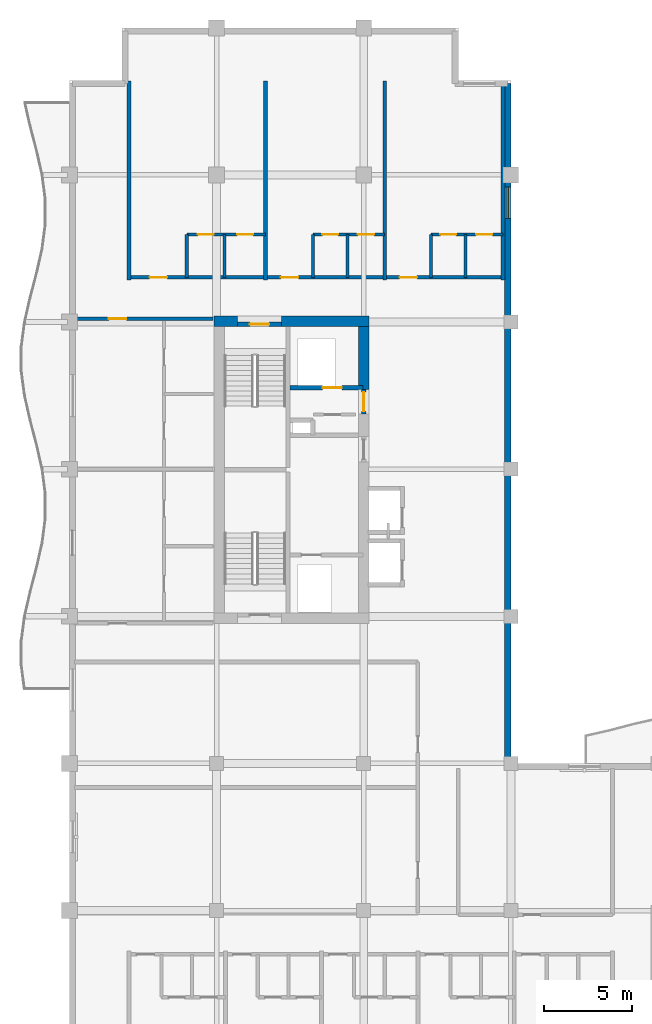
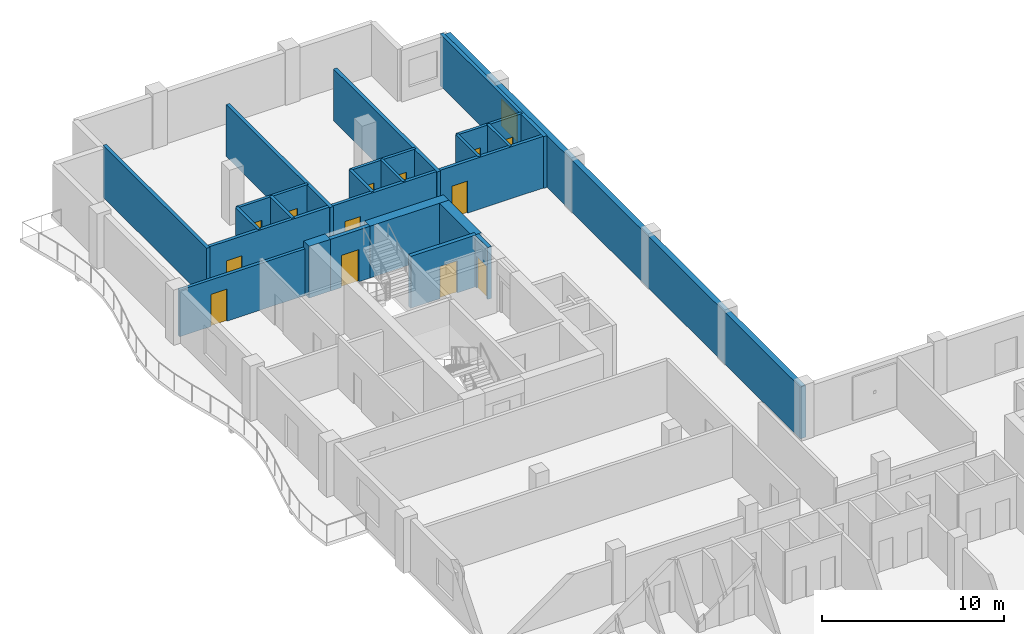
# One storey, part 7 of 12: 22 walls, 13 doors, 1 window, 14 openings.
"""IFC4 building model written with IfcOpenShell, lengths in metres."""

from ifc_helpers import new_model, si_unit, direction, frame, frame_2d, origin, place, context, subcontext, project, spatial, rectangle, extrude, material, layer, layer_set, type_object, element, fill, save


model = new_model("IFC4")

# Units and contexts
model_context = context("Model", 3, precision=1e-05, world=origin(), true_north=direction((0.0, 1.0)))
body_context = subcontext(model_context, "Body", "Model", "MODEL_VIEW")
ifc_project = project(units=[si_unit("LENGTHUNIT", "METRE"), si_unit("AREAUNIT", "SQUARE_METRE"), si_unit("VOLUMEUNIT", "CUBIC_METRE"), si_unit("PLANEANGLEUNIT", "RADIAN"), si_unit("MASSUNIT", "GRAM", prefix="KILO")], contexts=[model_context])

# Site, building, storey
site_placement = place(None, origin())
site = spatial("IfcSite", under=ifc_project, at=site_placement, CompositionType="ELEMENT")
building_placement = place(site_placement, origin())
building = spatial("IfcBuilding", under=site, at=building_placement, Name="Koriwani Terraces Tower", CompositionType="ELEMENT")
storey_placement = place(building_placement, frame((0.0, 0.0, 278.60009765625)))
storey = spatial("IfcBuildingStorey", under=building, at=storey_placement, Name="L69", CompositionType="ELEMENT", Elevation=278.60009765625)

# Walls
ifc_material_1 = material(Name="Concrete C60/75", Category="concrete")
ifc_layer_1 = layer(ifc_material_1, 0.60009765625, Name="Concrete C60/75")
ifc_layer_set_1 = layer_set([ifc_layer_1], Name="Concrete C60/75")
wall_type_1 = type_object("IfcWallType", Name="WALL_CORE_RC_600", PredefinedType="SHEAR", material=ifc_layer_set_1)
wall_1_placement = place(storey_placement, frame((16.64990234375, 58.85009765625, 0.0), z_axis=(0.0, 0.0, 1.0), x_axis=(1.0, 0.0, 0.0)))
element("IfcWall", 1, at=wall_1_placement, inside=storey, type_object=wall_type_1, Name="L69 West Split Core Shear Wall N1", PredefinedType="SHEAR", context=body_context, shape_type="SweptSolid", body=[
    extrude(rectangle(XDim=1.35009765625, YDim=0.60009765625, at=frame_2d((0.675048828125, 0.0))), origin(), (0.0, 0.0, 1.0), 3.469970703125),
])
wall_2_placement = place(storey_placement, frame((20.5, 58.85009765625, 0.0), z_axis=(0.0, 0.0, 1.0), x_axis=(1.0, 0.0, 0.0)))
element("IfcWall", 2, at=wall_2_placement, inside=storey, type_object=wall_type_1, Name="L69 West Split Core Shear Wall N2", PredefinedType="SHEAR", context=body_context, shape_type="SweptSolid", body=[
    extrude(rectangle(XDim=5.0, YDim=0.60009765625, at=frame_2d((2.5, 0.0))), origin(), (0.0, 0.0, 1.0), 3.469970703125),
])
wall_3_placement = place(storey_placement, frame((25.199951171875, 54.949951171875, 0.0), z_axis=(0.0, 0.0, 1.0), x_axis=(0.0, 1.0, 0.0)))
element("IfcWall", 3, at=wall_3_placement, inside=storey, type_object=wall_type_1, Name="L69 West Split Core Shear Wall E3", PredefinedType="SHEAR", context=body_context, shape_type="SweptSolid", body=[
    extrude(rectangle(XDim=3.60009765625, YDim=0.60009765625, at=frame_2d((1.800048828125, 0.0))), origin(), (0.0, 0.0, 1.0), 3.469970703125),
])

# Wall, opening, door
ifc_material_2 = material(Name="Autoclaved Cellular Concrete Blockwork", Category="masonry")
ifc_layer_2 = layer(ifc_material_2, 0.199951171875, Name="Autoclaved Cellular Concrete Blockwork")
ifc_layer_set_2 = layer_set([ifc_layer_2], Name="Autoclaved Cellular Concrete Blockwork")
wall_type_2 = type_object("IfcWallType", Name="WALL_CORRIDOR_200", PredefinedType="PARTITIONING", material=ifc_layer_set_2)
wall_4_placement = place(storey_placement, frame((8.64990234375, 59.0, 0.0), z_axis=(0.0, 0.0, 1.0), x_axis=(1.0, 0.0, 0.0)))
wall_4 = element("IfcWall", 4, at=wall_4_placement, inside=storey, type_object=wall_type_2, Name="L69 Interior Wall WRZ4-WN-L69", PredefinedType="PARTITIONING", context=body_context, shape_type="SweptSolid", body=[
    extrude(rectangle(XDim=7.9501953125, YDim=0.199951171875, at=frame_2d((3.97509765625, 0.0))), origin(), (0.0, 0.0, 1.0), 3.115966796875),
])
opening_1_placement = place(wall_4_placement, frame((2.0, 0.0, 0.0)))
opening_1 = element("IfcOpeningElement", 5, at=opening_1_placement, cuts=wall_4, Name="Opening D-05", PredefinedType="OPENING", context=body_context, shape_type="SweptSolid", body=[
    extrude(rectangle(XDim=1.0, YDim=2.14990234375, at=frame_2d((0.5, 1.074951171875))), frame((0.0, 0.10986328125, 0.0), z_axis=(0.0, -1.0, 0.0), x_axis=(1.0, 0.0, 0.0)), (0.0, 0.0, 1.0), 0.219970703125),
])
ifc_material_3 = material(Name="Architectural Oak Fire Door", Category="wood")
door_type_1 = type_object("IfcDoorType", Name="DOOR_SUITE_ENTRY_1000X2150", OperationType="NOTDEFINED", PredefinedType="DOOR", material=ifc_material_3)
door_1_placement = place(opening_1_placement, origin())
door_1 = element("IfcDoor", 6, at=door_1_placement, inside=storey, type_object=door_type_1, Name="Apartment 69RW2 Entrance Door", OperationType="SINGLE_SWING_LEFT", OverallHeight=2.14990234375, OverallWidth=1.0, PredefinedType="DOOR", context=body_context, shape_type="SweptSolid", body=[
    extrude(rectangle(XDim=1.0, YDim=2.14990234375, at=frame_2d((0.5, 1.074951171875))), frame((0.0, 0.02490234375, 0.0), z_axis=(0.0, -1.0, 0.0), x_axis=(1.0, 0.0, 0.0)), (0.0, 0.0, 1.0), 0.050048828125),
])
fill(opening_1, door_1)

# Wall, openings, doors
wall_5_placement = place(storey_placement, frame((11.800048828125, 61.35009765625, 0.0), z_axis=(0.0, 0.0, 1.0), x_axis=(1.0, 0.0, 0.0)))
wall_5 = element("IfcWall", 7, at=wall_5_placement, inside=storey, type_object=wall_type_2, Name="L69 Interior Wall WRCOR-L69-NTS-0", PredefinedType="PARTITIONING", context=body_context, shape_type="SweptSolid", body=[
    extrude(rectangle(XDim=21.349853515625, YDim=0.199951171875, at=frame_2d((10.6748046875, 0.0))), origin(), (0.0, 0.0, 1.0), 3.469970703125),
])
opening_2_placement = place(wall_5_placement, frame((1.169921875, 0.0, 0.0)))
opening_2 = element("IfcOpeningElement", 8, at=opening_2_placement, cuts=wall_5, Name="Opening D-05", PredefinedType="OPENING", context=body_context, shape_type="SweptSolid", body=[
    extrude(rectangle(XDim=1.0, YDim=2.14990234375, at=frame_2d((0.5, 1.074951171875))), frame((0.0, 0.10986328125, 0.0), z_axis=(0.0, -1.0, 0.0), x_axis=(1.0, 0.0, 0.0)), (0.0, 0.0, 1.0), 0.219970703125),
])
opening_3_placement = place(wall_5_placement, frame((8.669921875, 0.0, 0.0)))
opening_3 = element("IfcOpeningElement", 9, at=opening_3_placement, cuts=wall_5, Name="Opening D-05", PredefinedType="OPENING", context=body_context, shape_type="SweptSolid", body=[
    extrude(rectangle(XDim=1.0, YDim=2.14990234375, at=frame_2d((0.5, 1.074951171875))), frame((0.0, 0.10986328125, 0.0), z_axis=(0.0, -1.0, 0.0), x_axis=(1.0, 0.0, 0.0)), (0.0, 0.0, 1.0), 0.219970703125),
])
opening_4_placement = place(wall_5_placement, frame((15.445068359375, 0.0, 0.0)))
opening_4 = element("IfcOpeningElement", 10, at=opening_4_placement, cuts=wall_5, Name="Opening D-05", PredefinedType="OPENING", context=body_context, shape_type="SweptSolid", body=[
    extrude(rectangle(XDim=1.0, YDim=2.14990234375, at=frame_2d((0.5, 1.074951171875))), frame((0.0, 0.10986328125, 0.0), z_axis=(0.0, -1.0, 0.0), x_axis=(1.0, 0.0, 0.0)), (0.0, 0.0, 1.0), 0.219970703125),
])
door_2_placement = place(opening_2_placement, origin())
door_2 = element("IfcDoor", 11, at=door_2_placement, inside=storey, type_object=door_type_1, Name="Apartment 69NTS1 Entrance Door", OperationType="SINGLE_SWING_LEFT", OverallHeight=2.14990234375, OverallWidth=1.0, PredefinedType="DOOR", context=body_context, shape_type="SweptSolid", body=[
    extrude(rectangle(XDim=1.0, YDim=2.14990234375, at=frame_2d((0.5, 1.074951171875))), frame((0.0, 0.02490234375, 0.0), z_axis=(0.0, -1.0, 0.0), x_axis=(1.0, 0.0, 0.0)), (0.0, 0.0, 1.0), 0.050048828125),
])
fill(opening_2, door_2)
door_3_placement = place(opening_3_placement, origin())
door_3 = element("IfcDoor", 12, at=door_3_placement, inside=storey, type_object=door_type_1, Name="Apartment 69NTS2 Entrance Door", OperationType="SINGLE_SWING_RIGHT", OverallHeight=2.14990234375, OverallWidth=1.0, PredefinedType="DOOR", context=body_context, shape_type="SweptSolid", body=[
    extrude(rectangle(XDim=1.0, YDim=2.14990234375, at=frame_2d((0.5, 1.074951171875))), frame((0.0, 0.02490234375, 0.0), z_axis=(0.0, -1.0, 0.0), x_axis=(1.0, 0.0, 0.0)), (0.0, 0.0, 1.0), 0.050048828125),
])
fill(opening_3, door_3)
door_4_placement = place(opening_4_placement, origin())
door_4 = element("IfcDoor", 13, at=door_4_placement, inside=storey, type_object=door_type_1, Name="Apartment 69NTS3 Entrance Door", OperationType="SINGLE_SWING_LEFT", OverallHeight=2.14990234375, OverallWidth=1.0, PredefinedType="DOOR", context=body_context, shape_type="SweptSolid", body=[
    extrude(rectangle(XDim=1.0, YDim=2.14990234375, at=frame_2d((0.5, 1.074951171875))), frame((0.0, 0.02490234375, 0.0), z_axis=(0.0, -1.0, 0.0), x_axis=(1.0, 0.0, 0.0)), (0.0, 0.0, 1.0), 0.050048828125),
])
fill(opening_4, door_4)

# Walls
ifc_layer_3 = layer(ifc_material_2, 0.219970703125, Name="Autoclaved Cellular Concrete Blockwork")
ifc_layer_set_3 = layer_set([ifc_layer_3], Name="Autoclaved Cellular Concrete Blockwork")
wall_type_3 = type_object("IfcWallType", Name="WALL_DEMISING_220", PredefinedType="PARTITIONING", material=ifc_layer_set_3)
for number, where, z_axis, x_axis, name in (
    (14, (11.800048828125, 61.199951171875, 0.0), (0.0, 0.0, 1.0), (0.0, 1.0, 0.0), "L69 Interior Wall WRDEM-L69-NTS-0"),
    (15, (19.60009765625, 61.199951171875, 0.0), (0.0, 0.0, 1.0), (0.0, 1.0, 0.0), "L69 Interior Wall WRDEM-L69-NTS-1"),
    (16, (26.39990234375, 61.199951171875, 0.0), (0.0, 0.0, 1.0), (0.0, 1.0, 0.0), "L69 Interior Wall WRDEM-L69-NTS-2"),
    (17, (33.14990234375, 61.199951171875, 0.0), (0.0, 0.0, 1.0), (0.0, 1.0, 0.0), "L69 Interior Wall WRDEME-L69-NTS"),
):
    element("IfcWall", number, at=place(storey_placement, frame(where, z_axis=z_axis, x_axis=x_axis)), inside=storey, type_object=wall_type_3, Name=name, PredefinedType="PARTITIONING", context=body_context, shape_type="SweptSolid", body=[
        extrude(rectangle(XDim=11.380126953125, YDim=0.219970703125, at=frame_2d((5.68994140625, 0.0))), origin(), (0.0, 0.0, 1.0), 3.469970703125),
    ])

# Wall, opening, window
ifc_material_4 = material(Name="Concrete C50/60", Category="concrete")
ifc_layer_4 = layer(ifc_material_4, 0.35009765625, Name="Concrete C50/60")
ifc_layer_set_4 = layer_set([ifc_layer_4], Name="Concrete C50/60")
wall_type_4 = type_object("IfcWallType", Name="WALL_EXT_BRUTALIST_350", PredefinedType="STANDARD", material=ifc_layer_set_4)
wall_6_placement = place(storey_placement, frame((33.425048828125, 72.425048828125, 0.0), z_axis=(0.0, 0.0, 1.0), x_axis=(0.0, -1.0, 0.0)))
wall_6 = element("IfcWall", 18, at=wall_6_placement, inside=storey, type_object=wall_type_4, Name="L69 Fair-Faced Brutalist Exterior Wall (NW_IN)", PredefinedType="STANDARD", context=body_context, shape_type="SweptSolid", body=[
    extrude(rectangle(XDim=39.0, YDim=0.35009765625, at=frame_2d((19.5, 0.0))), origin(), (0.0, 0.0, 1.0), 3.469970703125),
])
opening_5_placement = place(wall_6_placement, frame((5.89990234375, 0.0, 0.85009765625)))
opening_5 = element("IfcOpeningElement", 19, at=opening_5_placement, cuts=wall_6, Name="Opening W-04", PredefinedType="OPENING", context=body_context, shape_type="SweptSolid", body=[
    extrude(rectangle(XDim=1.800048828125, YDim=1.800048828125, at=frame_2d((0.89990234375, 0.89990234375))), frame((0.0, 0.18505859375, 0.0), z_axis=(0.0, -1.0, 0.0), x_axis=(1.0, 0.0, 0.0)), (0.0, 0.0, 1.0), 0.3701171875),
])
ifc_material_5 = material(Name="Tempered Laminated Low-E Glass", Category="glass")
window_type = type_object("IfcWindowType", Name="WIN_RES_BED_1800X1800", PartitioningType="DOUBLE_PANEL_VERTICAL", PredefinedType="WINDOW", material=ifc_material_5)
window_placement = place(opening_5_placement, origin())
window = element("IfcWindow", 20, at=window_placement, inside=storey, type_object=window_type, Name="L69 Exterior Window (NW_IN-R55)", OverallHeight=1.800048828125, OverallWidth=1.800048828125, PartitioningType="SINGLE_PANEL", PredefinedType="WINDOW", context=body_context, shape_type="SweptSolid", body=[
    extrude(rectangle(XDim=1.800048828125, YDim=1.800048828125, at=frame_2d((0.89990234375, 0.89990234375))), frame((0.0, 0.030029296875, 0.0), z_axis=(0.0, -1.0, 0.0), x_axis=(1.0, 0.0, 0.0)), (0.0, 0.0, 1.0), 0.06005859375),
])
fill(opening_5, window)

# Wall, openings, doors
ifc_material_6 = material(Name="Fire-Rated Acoustic Gypsum Partition", Category="masonry")
ifc_layer_5 = layer(ifc_material_6, 0.179931640625, Name="Fire-Rated Acoustic Gypsum Partition")
ifc_layer_set_5 = layer_set([ifc_layer_5], Name="Fire-Rated Acoustic Gypsum Partition")
wall_type_5 = type_object("IfcWallType", Name="WALL_PLUMBING_180", PredefinedType="PLUMBINGWALL", material=ifc_layer_set_5)
wall_7_placement = place(storey_placement, frame((15.10009765625, 63.800048828125, 0.0), z_axis=(0.0, 0.0, 1.0), x_axis=(1.0, 0.0, 0.0)))
wall_7 = element("IfcWall", 21, at=wall_7_placement, inside=storey, type_object=wall_type_5, Name="L69 Interior Wall WRSVC-L69-NTS-0", PredefinedType="PLUMBINGWALL", context=body_context, shape_type="SweptSolid", body=[
    extrude(rectangle(XDim=4.5, YDim=0.179931640625, at=frame_2d((2.25, 0.0))), origin(), (0.0, 0.0, 1.0), 3.469970703125),
])
opening_6_placement = place(wall_7_placement, frame((0.6298828125, 0.0, 0.0)))
opening_6 = element("IfcOpeningElement", 22, at=opening_6_placement, cuts=wall_7, Name="Opening D-07", PredefinedType="OPENING", context=body_context, shape_type="SweptSolid", body=[
    extrude(rectangle(XDim=0.89990234375, YDim=2.10009765625, at=frame_2d((0.449951171875, 1.050048828125))), frame((0.0, 0.10009765625, 0.0), z_axis=(0.0, -1.0, 0.0), x_axis=(1.0, 0.0, 0.0)), (0.0, 0.0, 1.0), 0.199951171875),
])
opening_7_placement = place(wall_7_placement, frame((2.8701171875, 0.0, 0.0)))
opening_7 = element("IfcOpeningElement", 23, at=opening_7_placement, cuts=wall_7, Name="Opening D-06", PredefinedType="OPENING", context=body_context, shape_type="SweptSolid", body=[
    extrude(rectangle(XDim=0.919921875, YDim=2.10009765625, at=frame_2d((0.4599609375, 1.050048828125))), frame((0.0, 0.10009765625, 0.0), z_axis=(0.0, -1.0, 0.0), x_axis=(1.0, 0.0, 0.0)), (0.0, 0.0, 1.0), 0.199951171875),
])
door_type_2 = type_object("IfcDoorType", Name="DOOR_BATH_INT_900X2100", OperationType="NOTDEFINED", PredefinedType="DOOR", material=ifc_material_3)
door_5_placement = place(opening_6_placement, origin())
door_5 = element("IfcDoor", 24, at=door_5_placement, inside=storey, type_object=door_type_2, Name="Apartment 69NTS1 Bathroom Door", OperationType="SINGLE_SWING_RIGHT", OverallHeight=2.10009765625, OverallWidth=0.89990234375, PredefinedType="DOOR", context=body_context, shape_type="SweptSolid", body=[
    extrude(rectangle(XDim=0.89990234375, YDim=2.10009765625, at=frame_2d((0.449951171875, 1.050048828125))), frame((0.0, 0.02490234375, 0.0), z_axis=(0.0, -1.0, 0.0), x_axis=(1.0, 0.0, 0.0)), (0.0, 0.0, 1.0), 0.050048828125),
])
fill(opening_6, door_5)
door_type_3 = type_object("IfcDoorType", Name="DOOR_ROOM_INT_920X2100", OperationType="NOTDEFINED", PredefinedType="DOOR", material=ifc_material_3)
door_6_placement = place(opening_7_placement, origin())
door_6 = element("IfcDoor", 25, at=door_6_placement, inside=storey, type_object=door_type_3, Name="Apartment 69NTS1 Kitchen Door", OperationType="SINGLE_SWING_LEFT", OverallHeight=2.10009765625, OverallWidth=0.919921875, PredefinedType="DOOR", context=body_context, shape_type="SweptSolid", body=[
    extrude(rectangle(XDim=0.919921875, YDim=2.10009765625, at=frame_2d((0.4599609375, 1.050048828125))), frame((0.0, 0.02490234375, 0.0), z_axis=(0.0, -1.0, 0.0), x_axis=(1.0, 0.0, 0.0)), (0.0, 0.0, 1.0), 0.050048828125),
])
fill(opening_7, door_6)

# Walls
for number, where, z_axis, x_axis, name in (
    (26, (15.10009765625, 61.35009765625, 0.0), (0.0, 0.0, 1.0), (0.0, 1.0, 0.0), "L69 Interior Wall WRSVCS-L69-NTS-0"),
    (27, (17.260009765625, 61.35009765625, 0.0), (0.0, 0.0, 1.0), (0.0, 1.0, 0.0), "L69 Interior Wall WRSVCM-L69-NTS-0"),
):
    element("IfcWall", number, at=place(storey_placement, frame(where, z_axis=z_axis, x_axis=x_axis)), inside=storey, type_object=wall_type_5, Name=name, PredefinedType="PLUMBINGWALL", context=body_context, shape_type="SweptSolid", body=[
        extrude(rectangle(XDim=2.449951171875, YDim=0.179931640625, at=frame_2d((1.22509765625, 0.0))), origin(), (0.0, 0.0, 1.0), 3.469970703125),
    ])

# Wall, openings, doors
wall_8_placement = place(storey_placement, frame((22.300048828125, 63.800048828125, 0.0), z_axis=(0.0, 0.0, 1.0), x_axis=(1.0, 0.0, 0.0)))
wall_8 = element("IfcWall", 28, at=wall_8_placement, inside=storey, type_object=wall_type_5, Name="L69 Interior Wall WRSVC-L69-NTS-1", PredefinedType="PLUMBINGWALL", context=body_context, shape_type="SweptSolid", body=[
    extrude(rectangle(XDim=4.099853515625, YDim=0.179931640625, at=frame_2d((2.0498046875, 0.0))), origin(), (0.0, 0.0, 1.0), 3.469970703125),
])
opening_8_placement = place(wall_8_placement, frame((0.533935546875, 0.0, 0.0)))
opening_8 = element("IfcOpeningElement", 29, at=opening_8_placement, cuts=wall_8, Name="Opening D-07", PredefinedType="OPENING", context=body_context, shape_type="SweptSolid", body=[
    extrude(rectangle(XDim=0.89990234375, YDim=2.10009765625, at=frame_2d((0.449951171875, 1.050048828125))), frame((0.0, 0.10009765625, 0.0), z_axis=(0.0, -1.0, 0.0), x_axis=(1.0, 0.0, 0.0)), (0.0, 0.0, 1.0), 0.199951171875),
])
opening_9_placement = place(wall_8_placement, frame((2.573974609375, 0.0, 0.0)))
opening_9 = element("IfcOpeningElement", 30, at=opening_9_placement, cuts=wall_8, Name="Opening D-06", PredefinedType="OPENING", context=body_context, shape_type="SweptSolid", body=[
    extrude(rectangle(XDim=0.919921875, YDim=2.10009765625, at=frame_2d((0.4599609375, 1.050048828125))), frame((0.0, 0.10009765625, 0.0), z_axis=(0.0, -1.0, 0.0), x_axis=(1.0, 0.0, 0.0)), (0.0, 0.0, 1.0), 0.199951171875),
])
door_7_placement = place(opening_8_placement, origin())
door_7 = element("IfcDoor", 31, at=door_7_placement, inside=storey, type_object=door_type_2, Name="Apartment 69NTS2 Bathroom Door", OperationType="SINGLE_SWING_LEFT", OverallHeight=2.10009765625, OverallWidth=0.89990234375, PredefinedType="DOOR", context=body_context, shape_type="SweptSolid", body=[
    extrude(rectangle(XDim=0.89990234375, YDim=2.10009765625, at=frame_2d((0.449951171875, 1.050048828125))), frame((0.0, 0.02490234375, 0.0), z_axis=(0.0, -1.0, 0.0), x_axis=(1.0, 0.0, 0.0)), (0.0, 0.0, 1.0), 0.050048828125),
])
fill(opening_8, door_7)
door_8_placement = place(opening_9_placement, origin())
door_8 = element("IfcDoor", 32, at=door_8_placement, inside=storey, type_object=door_type_3, Name="Apartment 69NTS2 Kitchen Door", OperationType="SINGLE_SWING_RIGHT", OverallHeight=2.10009765625, OverallWidth=0.919921875, PredefinedType="DOOR", context=body_context, shape_type="SweptSolid", body=[
    extrude(rectangle(XDim=0.919921875, YDim=2.10009765625, at=frame_2d((0.4599609375, 1.050048828125))), frame((0.0, 0.02490234375, 0.0), z_axis=(0.0, -1.0, 0.0), x_axis=(1.0, 0.0, 0.0)), (0.0, 0.0, 1.0), 0.050048828125),
])
fill(opening_9, door_8)

# Walls
for number, where, z_axis, x_axis, name in (
    (33, (22.300048828125, 61.35009765625, 0.0), (0.0, 0.0, 1.0), (0.0, 1.0, 0.0), "L69 Interior Wall WRSVCS-L69-NTS-1"),
    (34, (24.26806640625, 61.35009765625, 0.0), (0.0, 0.0, 1.0), (0.0, 1.0, 0.0), "L69 Interior Wall WRSVCM-L69-NTS-1"),
):
    element("IfcWall", number, at=place(storey_placement, frame(where, z_axis=z_axis, x_axis=x_axis)), inside=storey, type_object=wall_type_5, Name=name, PredefinedType="PLUMBINGWALL", context=body_context, shape_type="SweptSolid", body=[
        extrude(rectangle(XDim=2.449951171875, YDim=0.179931640625, at=frame_2d((1.22509765625, 0.0))), origin(), (0.0, 0.0, 1.0), 3.469970703125),
    ])

# Wall, openings, doors
wall_9_placement = place(storey_placement, frame((29.050048828125, 63.800048828125, 0.0), z_axis=(0.0, 0.0, 1.0), x_axis=(1.0, 0.0, 0.0)))
wall_9 = element("IfcWall", 35, at=wall_9_placement, inside=storey, type_object=wall_type_5, Name="L69 Interior Wall WRSVC-L69-NTS-2", PredefinedType="PLUMBINGWALL", context=body_context, shape_type="SweptSolid", body=[
    extrude(rectangle(XDim=4.099853515625, YDim=0.179931640625, at=frame_2d((2.0498046875, 0.0))), origin(), (0.0, 0.0, 1.0), 3.469970703125),
])
opening_10_placement = place(wall_9_placement, frame((0.533935546875, 0.0, 0.0)))
opening_10 = element("IfcOpeningElement", 36, at=opening_10_placement, cuts=wall_9, Name="Opening D-07", PredefinedType="OPENING", context=body_context, shape_type="SweptSolid", body=[
    extrude(rectangle(XDim=0.89990234375, YDim=2.10009765625, at=frame_2d((0.449951171875, 1.050048828125))), frame((0.0, 0.10009765625, 0.0), z_axis=(0.0, -1.0, 0.0), x_axis=(1.0, 0.0, 0.0)), (0.0, 0.0, 1.0), 0.199951171875),
])
opening_11_placement = place(wall_9_placement, frame((2.573974609375, 0.0, 0.0)))
opening_11 = element("IfcOpeningElement", 37, at=opening_11_placement, cuts=wall_9, Name="Opening D-06", PredefinedType="OPENING", context=body_context, shape_type="SweptSolid", body=[
    extrude(rectangle(XDim=0.919921875, YDim=2.10009765625, at=frame_2d((0.4599609375, 1.050048828125))), frame((0.0, 0.10009765625, 0.0), z_axis=(0.0, -1.0, 0.0), x_axis=(1.0, 0.0, 0.0)), (0.0, 0.0, 1.0), 0.199951171875),
])
door_9_placement = place(opening_10_placement, origin())
door_9 = element("IfcDoor", 38, at=door_9_placement, inside=storey, type_object=door_type_2, Name="Apartment 69NTS3 Bathroom Door", OperationType="SINGLE_SWING_RIGHT", OverallHeight=2.10009765625, OverallWidth=0.89990234375, PredefinedType="DOOR", context=body_context, shape_type="SweptSolid", body=[
    extrude(rectangle(XDim=0.89990234375, YDim=2.10009765625, at=frame_2d((0.449951171875, 1.050048828125))), frame((0.0, 0.02490234375, 0.0), z_axis=(0.0, -1.0, 0.0), x_axis=(1.0, 0.0, 0.0)), (0.0, 0.0, 1.0), 0.050048828125),
])
fill(opening_10, door_9)
door_10_placement = place(opening_11_placement, origin())
door_10 = element("IfcDoor", 39, at=door_10_placement, inside=storey, type_object=door_type_3, Name="Apartment 69NTS3 Kitchen Door", OperationType="SINGLE_SWING_LEFT", OverallHeight=2.10009765625, OverallWidth=0.919921875, PredefinedType="DOOR", context=body_context, shape_type="SweptSolid", body=[
    extrude(rectangle(XDim=0.919921875, YDim=2.10009765625, at=frame_2d((0.4599609375, 1.050048828125))), frame((0.0, 0.02490234375, 0.0), z_axis=(0.0, -1.0, 0.0), x_axis=(1.0, 0.0, 0.0)), (0.0, 0.0, 1.0), 0.050048828125),
])
fill(opening_11, door_10)

# Walls
for number, where, z_axis, x_axis, name in (
    (40, (29.050048828125, 61.35009765625, 0.0), (0.0, 0.0, 1.0), (0.0, 1.0, 0.0), "L69 Interior Wall WRSVCS-L69-NTS-2"),
    (41, (31.01806640625, 61.35009765625, 0.0), (0.0, 0.0, 1.0), (0.0, 1.0, 0.0), "L69 Interior Wall WRSVCM-L69-NTS-2"),
):
    element("IfcWall", number, at=place(storey_placement, frame(where, z_axis=z_axis, x_axis=x_axis)), inside=storey, type_object=wall_type_5, Name=name, PredefinedType="PLUMBINGWALL", context=body_context, shape_type="SweptSolid", body=[
        extrude(rectangle(XDim=2.449951171875, YDim=0.179931640625, at=frame_2d((1.22509765625, 0.0))), origin(), (0.0, 0.0, 1.0), 3.469970703125),
    ])

# Wall, opening, door
ifc_material_7 = material(Name="Concrete C40/50", Category="concrete")
ifc_layer_6 = layer(ifc_material_7, 0.25, Name="Concrete C40/50")
ifc_layer_set_6 = layer_set([ifc_layer_6], Name="Concrete C40/50")
wall_type_6 = type_object("IfcWallType", Name="WALL_SHAFT_RATED_250", PredefinedType="SOLIDWALL", material=ifc_layer_set_6)
wall_10_placement = place(storey_placement, frame((18.0, 58.675048828125, 0.0), z_axis=(0.0, 0.0, 1.0), x_axis=(1.0, 0.0, 0.0)))
wall_10 = element("IfcWall", 42, at=wall_10_placement, inside=storey, type_object=wall_type_6, Name="L69 Interior Wall WIN-CW-L69-STN", PredefinedType="SOLIDWALL", context=body_context, shape_type="SweptSolid", body=[
    extrude(rectangle(XDim=2.5, YDim=0.25, at=frame_2d((1.25, 0.0))), origin(), (0.0, 0.0, 1.0), 3.469970703125),
])
opening_12_placement = place(wall_10_placement, frame((0.699951171875, 0.0, 0.0)))
opening_12 = element("IfcOpeningElement", 43, at=opening_12_placement, cuts=wall_10, Name="Opening D-03", PredefinedType="OPENING", context=body_context, shape_type="SweptSolid", body=[
    extrude(rectangle(XDim=1.10009765625, YDim=2.14990234375, at=frame_2d((0.550048828125, 1.074951171875))), frame((0.0, 0.135009765625, 0.0), z_axis=(0.0, -1.0, 0.0), x_axis=(1.0, 0.0, 0.0)), (0.0, 0.0, 1.0), 0.27001953125),
])
ifc_material_8 = material(Name="Steel ASTM A572 Grade 50", Category="steel")
door_type_4 = type_object("IfcDoorType", Name="DOOR_STAIR_FIRE_1100X2150", OperationType="NOTDEFINED", PredefinedType="DOOR", material=ifc_material_8)
door_11_placement = place(opening_12_placement, origin())
door_11 = element("IfcDoor", 44, at=door_11_placement, inside=storey, type_object=door_type_4, Name="L69 Exit Stair ST-W2 Door", OperationType="SINGLE_SWING_RIGHT", OverallHeight=2.14990234375, OverallWidth=1.10009765625, PredefinedType="DOOR", context=body_context, shape_type="SweptSolid", body=[
    extrude(rectangle(XDim=1.10009765625, YDim=2.14990234375, at=frame_2d((0.550048828125, 1.074951171875))), frame((0.0, 0.02490234375, 0.0), z_axis=(0.0, -1.0, 0.0), x_axis=(1.0, 0.0, 0.0)), (0.0, 0.0, 1.0), 0.050048828125),
])
fill(opening_12, door_11)

wall_11_placement = place(storey_placement, frame((21.0, 55.050048828125, 0.0), z_axis=(0.0, 0.0, 1.0), x_axis=(1.0, 0.0, 0.0)))
wall_11 = element("IfcWall", 45, at=wall_11_placement, inside=storey, type_object=wall_type_6, Name="L69 Interior Wall WIN-CW-L69-SE", PredefinedType="SOLIDWALL", context=body_context, shape_type="SweptSolid", body=[
    extrude(rectangle(XDim=4.14990234375, YDim=0.25, at=frame_2d((2.074951171875, 0.0))), origin(), (0.0, 0.0, 1.0), 3.469970703125),
])
opening_13_placement = place(wall_11_placement, frame((1.85009765625, 0.0, 0.0)))
opening_13 = element("IfcOpeningElement", 46, at=opening_13_placement, cuts=wall_11, Name="Opening LD-01", PredefinedType="OPENING", context=body_context, shape_type="SweptSolid", body=[
    extrude(rectangle(XDim=1.10009765625, YDim=2.14990234375, at=frame_2d((0.550048828125, 1.074951171875))), frame((0.0, 0.135009765625, 0.0), z_axis=(0.0, -1.0, 0.0), x_axis=(1.0, 0.0, 0.0)), (0.0, 0.0, 1.0), 0.27001953125),
])
door_type_5 = type_object("IfcDoorType", Name="DOOR_LIFT_LANDING_1100X2200", OperationType="NOTDEFINED", PredefinedType="DOOR", material=ifc_material_8)
door_12_placement = place(opening_13_placement, origin())
door_12 = element("IfcDoor", 47, at=door_12_placement, inside=storey, type_object=door_type_5, Name="L69 Goods Lift SE-01 Landing Door", OperationType="SLIDING_TO_LEFT", OverallHeight=2.14990234375, OverallWidth=1.10009765625, PredefinedType="DOOR", context=body_context, shape_type="SweptSolid", body=[
    extrude(rectangle(XDim=1.10009765625, YDim=2.14990234375, at=frame_2d((0.550048828125, 1.074951171875))), frame((0.0, 0.02490234375, 0.0), z_axis=(0.0, -1.0, 0.0), x_axis=(1.0, 0.0, 0.0)), (0.0, 0.0, 1.0), 0.050048828125),
])
fill(opening_13, door_12)

wall_12_placement = place(storey_placement, frame((25.199951171875, 53.550048828125, 0.0), z_axis=(0.0, 0.0, 1.0), x_axis=(0.0, 1.0, 0.0)))
wall_12 = element("IfcWall", 48, at=wall_12_placement, inside=storey, type_object=wall_type_6, Name="L69 Interior Wall WIN-CW-L69-EP2", PredefinedType="SOLIDWALL", context=body_context, shape_type="SweptSolid", body=[
    extrude(rectangle(XDim=1.39990234375, YDim=0.25, at=frame_2d((0.699951171875, 0.0))), origin(), (0.0, 0.0, 1.0), 3.469970703125),
])
opening_14_placement = place(wall_12_placement, frame((0.14990234375, 0.0, 0.0)))
opening_14 = element("IfcOpeningElement", 49, at=opening_14_placement, cuts=wall_12, Name="Opening D-03", PredefinedType="OPENING", context=body_context, shape_type="SweptSolid", body=[
    extrude(rectangle(XDim=1.10009765625, YDim=2.14990234375, at=frame_2d((0.550048828125, 1.074951171875))), frame((0.0, 0.135009765625, 0.0), z_axis=(0.0, -1.0, 0.0), x_axis=(1.0, 0.0, 0.0)), (0.0, 0.0, 1.0), 0.27001953125),
])
door_13_placement = place(opening_14_placement, origin())
door_13 = element("IfcDoor", 50, at=door_13_placement, inside=storey, type_object=door_type_4, Name="L69 West Goods Lift Lobby Door", OperationType="SINGLE_SWING_RIGHT", OverallHeight=2.14990234375, OverallWidth=1.10009765625, PredefinedType="DOOR", context=body_context, shape_type="SweptSolid", body=[
    extrude(rectangle(XDim=1.10009765625, YDim=2.14990234375, at=frame_2d((0.550048828125, 1.074951171875))), frame((0.0, 0.02490234375, 0.0), z_axis=(0.0, -1.0, 0.0), x_axis=(1.0, 0.0, 0.0)), (0.0, 0.0, 1.0), 0.050048828125),
])
fill(opening_14, door_13)

save(model, "model.ifc")
